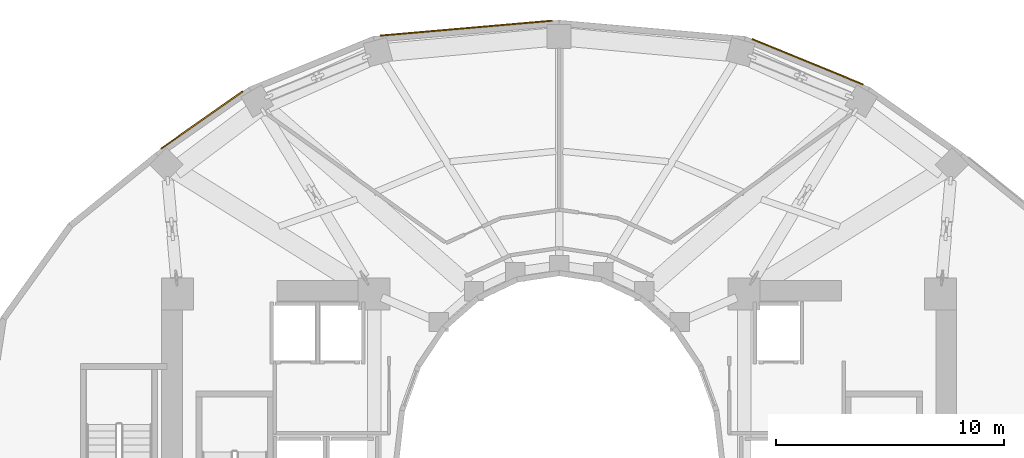
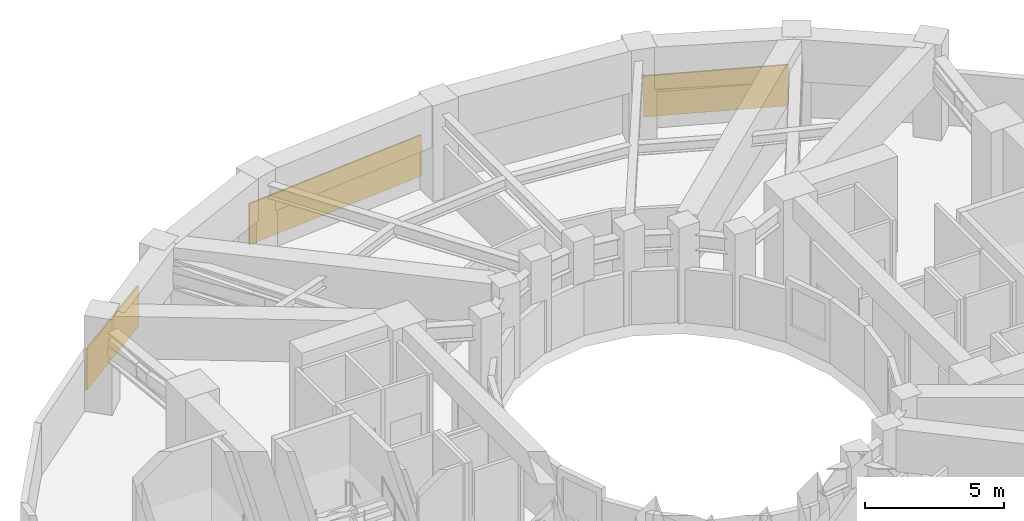
# One storey, part 10 of 10: 3 shading devices.
"""IFC4 building model written with IfcOpenShell, lengths in metres."""

from ifc_helpers import new_model, si_unit, direction, frame, origin, origin_2d, place, context, subcontext, project, spatial, rectangle, extrude, material, layer, layer_set, type_object, element, save


model = new_model("IFC4")

# Units and contexts
model_context = context("Model", 3, precision=1e-05, world=origin(), true_north=direction((0.0, 1.0)))
body_context = subcontext(model_context, "Body", "Model", "MODEL_VIEW")
ifc_project = project(units=[si_unit("LENGTHUNIT", "METRE"), si_unit("AREAUNIT", "SQUARE_METRE"), si_unit("VOLUMEUNIT", "CUBIC_METRE"), si_unit("PLANEANGLEUNIT", "RADIAN"), si_unit("MASSUNIT", "GRAM", prefix="KILO")], contexts=[model_context])

# Site, building, storey
site_placement = place(None, origin())
site = spatial("IfcSite", under=ifc_project, at=site_placement, CompositionType="ELEMENT")
building_placement = place(site_placement, origin())
building = spatial("IfcBuilding", under=site, at=building_placement, Name="Solvane Sanctuary Tower", CompositionType="ELEMENT")
storey_placement = place(building_placement, frame((0.0, 0.0, 64.800048828125)))
storey = spatial("IfcBuildingStorey", under=building, at=storey_placement, Name="L19", CompositionType="ELEMENT", Elevation=64.800048828125)

# Shading devices
ifc_material = material(Name="Anodised Aluminium 6063-T6", Category="aluminium")
ifc_layer = layer(ifc_material, 0.06005859375, Name="Anodised Aluminium 6063-T6")
ifc_layer_set = layer_set([ifc_layer], Name="Anodised Aluminium 6063-T6")
shading_device_type = type_object("IfcShadingDeviceType", Name="Shading SHD-LOUVRE", PredefinedType="JALOUSIE", material=ifc_layer_set)
shading_device_1_placement = place(storey_placement, frame((42.8779296875, 40.376220703125, 0.35009765625), z_axis=(0.0, 0.0, 1.0), x_axis=(-0.925426793276, 0.378926444428, 0.0)))
element("IfcShadingDevice", 1, at=shading_device_1_placement, inside=storey, type_object=shading_device_type, Name="L19 Plant Intake Louvre 04", PredefinedType="JALOUSIE", context=body_context, shape_type="SweptSolid", body=[
    extrude(rectangle(XDim=5.25048828125, YDim=0.06005859375, at=origin_2d()), origin(), (0.0, 0.0, 1.0), 1.800048828125),
])
shading_device_2_placement = place(storey_placement, frame((27.928955078125, 41.84716796875, 0.35009765625), z_axis=(0.0, 0.0, 1.0), x_axis=(-0.996252282868, -0.086495022284, 0.0)))
element("IfcShadingDevice", 2, at=shading_device_2_placement, inside=storey, type_object=shading_device_type, Name="L19 Plant Intake Louvre 06", PredefinedType="JALOUSIE", context=body_context, shape_type="SweptSolid", body=[
    extrude(rectangle(XDim=7.54833984375, YDim=0.06005859375, at=origin_2d()), origin(), (0.0, 0.0, 1.0), 1.800048828125),
])
shading_device_3_placement = place(storey_placement, frame((16.35400390625, 37.823486328125, 0.35009765625), z_axis=(0.0, 0.0, 1.0), x_axis=(-0.81808949853, -0.575090925328, 0.0)))
element("IfcShadingDevice", 3, at=shading_device_3_placement, inside=storey, type_object=shading_device_type, Name="L19 Plant Intake Louvre 08", PredefinedType="JALOUSIE", context=body_context, shape_type="SweptSolid", body=[
    extrude(rectangle(XDim=4.37109375, YDim=0.06005859375, at=origin_2d()), origin(), (0.0, 0.0, 1.0), 1.800048828125),
])

save(model, "model.ifc")
